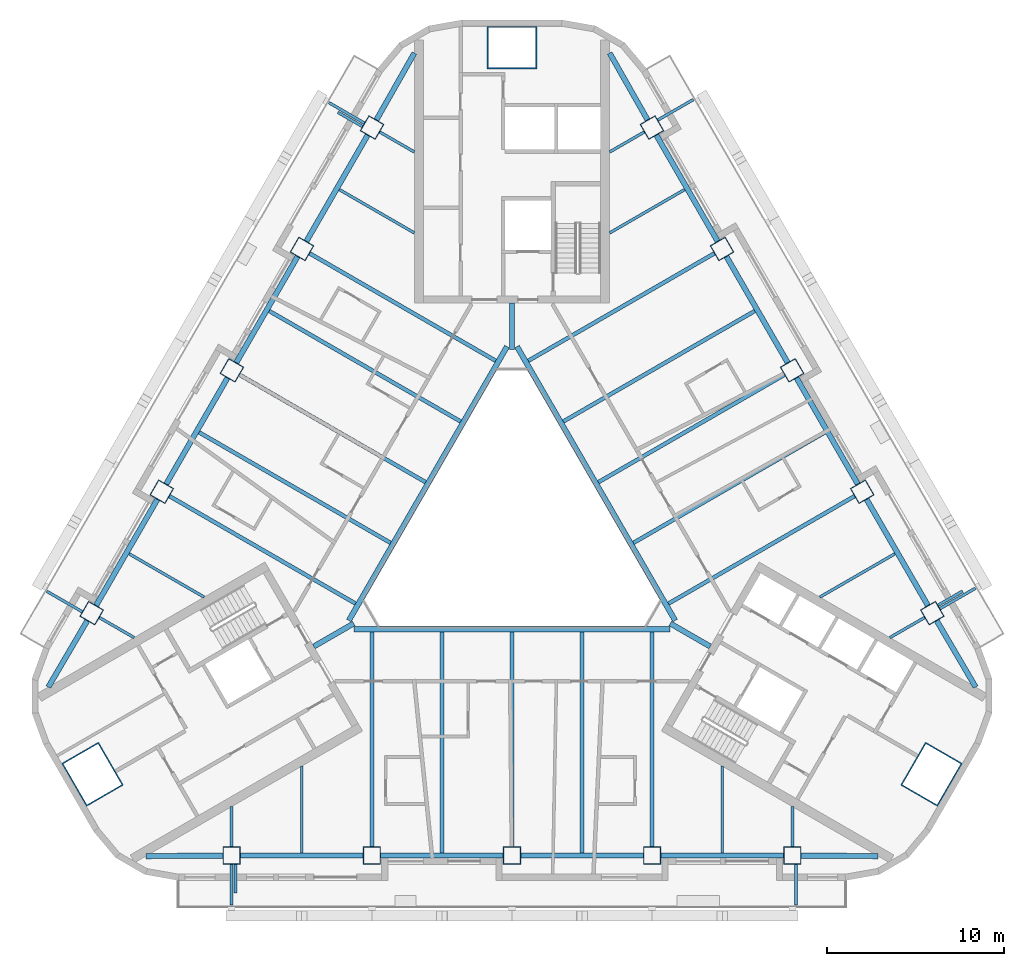
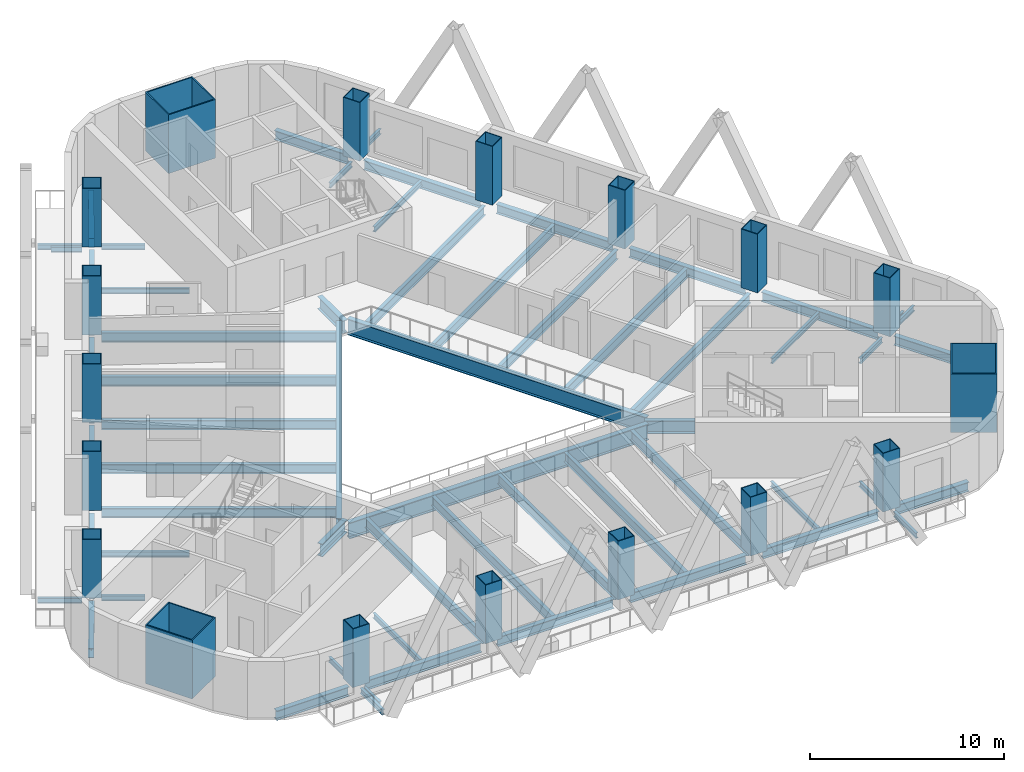
# One storey, part 1 of 14: 60 beams, 18 columns.
"""IFC4 building model written with IfcOpenShell, lengths in metres."""

from ifc_helpers import new_model, si_unit, direction, frame, origin, origin_2d, place, context, subcontext, project, spatial, rectangle, hollow_rectangle, i_section, extrude, material, material_profile, profile_set, type_object, element, save


model = new_model("IFC4")

# Units and contexts
model_context = context("Model", 3, precision=1e-05, world=origin(), true_north=direction((0.0, 1.0)))
body_context = subcontext(model_context, "Body", "Model", "MODEL_VIEW")
ifc_project = project(units=[si_unit("LENGTHUNIT", "METRE"), si_unit("AREAUNIT", "SQUARE_METRE"), si_unit("VOLUMEUNIT", "CUBIC_METRE"), si_unit("PLANEANGLEUNIT", "RADIAN"), si_unit("MASSUNIT", "GRAM", prefix="KILO")], contexts=[model_context])

# Site, building, storey
site_placement = place(None, origin())
site = spatial("IfcSite", under=ifc_project, at=site_placement, CompositionType="ELEMENT")
building_placement = place(site_placement, origin())
building = spatial("IfcBuilding", under=site, at=building_placement, Name="Apuvela Tower Hotel", CompositionType="ELEMENT")
storey_placement = place(building_placement, frame((0.0, 0.0, 76.10009765625)))
storey = spatial("IfcBuildingStorey", under=building, at=storey_placement, Name="L16", CompositionType="ELEMENT", Elevation=76.10009765625)

# Columns
ifc_material_1 = material(Name="Steel S460", Category="steel")
ifc_material_profile_1 = material_profile(ifc_material_1, hollow_rectangle(XDim=2.800048828125, YDim=2.39990234375, WallThickness=0.070068359375, at=origin_2d()), Name="BOX 2800x2400x70")
ifc_material_2 = material(Name="Concrete C80/95", Category="concrete")
ifc_material_profile_2 = material_profile(ifc_material_2, rectangle(XDim=2.659912109375, YDim=2.260009765625, at=origin_2d()), Name="Concrete C80/95 infill")
ifc_profile_set_1 = profile_set([ifc_material_profile_1, ifc_material_profile_2], Name="Steel S460")
column_type_1 = type_object("IfcColumnType", Name="STR-MC mega column BOX 2800x2400x70", PredefinedType="COLUMN", material=ifc_profile_set_1)
for number, where, z_axis, x_axis, name in (
    (1, (0.0, 27.300048828125, 0.0), (0.0, 0.0, 1.0), (1.0, 0.0, 0.0), "Mega column MC2 N"),
    (2, (-23.642578125, -13.64990234375, 0.0), (0.0, 0.0, 1.0), (-0.5, 0.866025403784, 0.0), "Mega column MC2 SW"),
    (3, (23.642578125, -13.64990234375, 0.0), (0.0, 0.0, 1.0), (0.5, 0.866025403784, 0.0), "Mega column MC2 SE"),
):
    element("IfcColumn", number, at=place(storey_placement, frame(where, z_axis=z_axis, x_axis=x_axis)), inside=storey, type_object=column_type_1, Name=name, PredefinedType="COLUMN", context=body_context, shape_type="SweptSolid", body=[
        extrude(hollow_rectangle(XDim=2.800048828125, YDim=2.39990234375, WallThickness=0.070068359375, at=origin_2d()), origin(), (0.0, 0.0, 1.0), 3.699951171875),
    ])
ifc_material_profile_3 = material_profile(ifc_material_1, hollow_rectangle(XDim=1.0, YDim=1.0, WallThickness=0.044921875, at=origin_2d()), Name="BOX 1000x1000x45")
ifc_material_profile_4 = material_profile(ifc_material_2, rectangle(XDim=0.909912109375, YDim=0.909912109375, at=origin_2d()), Name="Concrete C80/95 infill")
ifc_profile_set_2 = profile_set([ifc_material_profile_3, ifc_material_profile_4], Name="Steel S460")
column_type_2 = type_object("IfcColumnType", Name="STR-PC perimeter column BOX 1000x1000x45", PredefinedType="COLUMN", material=ifc_profile_set_2)
for number, where, z_axis, x_axis, name in (
    (4, (-15.800048828125, -18.22998046875, 0.0), (0.0, 0.0, 1.0), (-1.0, 0.0, 0.0), "Perimeter column C2 S1"),
    (5, (-7.89990234375, -18.22998046875, 0.0), (0.0, 0.0, 1.0), (-1.0, 0.0, 0.0), "Perimeter column C2 S2"),
    (6, (0.0, -18.22998046875, 0.0), (0.0, 0.0, 1.0), (-1.0, 0.0, 0.0), "Perimeter column C2 S3"),
    (7, (7.89990234375, -18.22998046875, 0.0), (0.0, 0.0, 1.0), (-1.0, 0.0, 0.0), "Perimeter column C2 S4"),
    (8, (15.800048828125, -18.22998046875, 0.0), (0.0, 0.0, 1.0), (-1.0, 0.0, 0.0), "Perimeter column C2 S5"),
    (9, (23.6875, -4.568115234375, 0.0), (0.0, 0.0, 1.0), (-0.5, 0.866025403784, 0.0), "Perimeter column C2 NE1"),
    (10, (19.737548828125, 2.2734375, 0.0), (0.0, 0.0, 1.0), (-0.5, 0.866025403784, 0.0), "Perimeter column C2 NE2"),
    (11, (15.78759765625, 9.114990234375, 0.0), (0.0, 0.0, 1.0), (-0.5, 0.866025403784, 0.0), "Perimeter column C2 NE3"),
    (12, (11.837646484375, 15.95654296875, 0.0), (0.0, 0.0, 1.0), (-0.5, 0.866025403784, 0.0), "Perimeter column C2 NE4"),
    (13, (7.8876953125, 22.798095703125, 0.0), (0.0, 0.0, 1.0), (-0.5, 0.866025403784, 0.0), "Perimeter column C2 NE5"),
    (14, (-7.8876953125, 22.798095703125, 0.0), (0.0, 0.0, 1.0), (0.5, 0.866025403784, 0.0), "Perimeter column C2 NW1"),
    (15, (-11.837646484375, 15.95654296875, 0.0), (0.0, 0.0, 1.0), (0.5, 0.866025403784, 0.0), "Perimeter column C2 NW2"),
    (16, (-15.78759765625, 9.114990234375, 0.0), (0.0, 0.0, 1.0), (0.5, 0.866025403784, 0.0), "Perimeter column C2 NW3"),
    (17, (-19.737548828125, 2.2734375, 0.0), (0.0, 0.0, 1.0), (0.5, 0.866025403784, 0.0), "Perimeter column C2 NW4"),
    (18, (-23.6875, -4.568115234375, 0.0), (0.0, 0.0, 1.0), (0.5, 0.866025403784, 0.0), "Perimeter column C2 NW5"),
):
    element("IfcColumn", number, at=place(storey_placement, frame(where, z_axis=z_axis, x_axis=x_axis)), inside=storey, type_object=column_type_2, Name=name, PredefinedType="COLUMN", context=body_context, shape_type="SweptSolid", body=[
        extrude(hollow_rectangle(XDim=1.0, YDim=1.0, WallThickness=0.044921875, at=origin_2d()), origin(), (0.0, 0.0, 1.0), 3.699951171875),
    ])

# Beams
ifc_material_3 = material(Name="Steel S355", Category="steel")
ifc_material_profile_5 = material_profile(ifc_material_3, i_section(OverallWidth=0.159912109375, OverallDepth=0.330078125, WebThickness=0.007568359375, FlangeThickness=0.011474609375, at=origin_2d()), Name="IPE 330")
ifc_profile_set_3 = profile_set([ifc_material_profile_5], Name="Steel S355")
beam_type_1 = type_object("IfcBeamType", Name="ENV-BALCONY-BEAM-IPE330", PredefinedType="BEAM", material=ifc_profile_set_3)
beam_1_placement = place(storey_placement, frame((-15.800048828125, -18.72998046875, -0.315185546875), z_axis=(0.0, -1.0, 0.0), x_axis=(1.0, 0.0, 0.0)))
element("IfcBeam", 19, at=beam_1_placement, inside=storey, type_object=beam_type_1, Name="Balcony cantilever beam S1 L16", PredefinedType="BEAM", context=body_context, shape_type="SweptSolid", body=[
    extrude(i_section(OverallWidth=0.159912109375, OverallDepth=0.330078125, WebThickness=0.007568359375, FlangeThickness=0.011474609375, at=origin_2d()), origin(), (0.0, 0.0, 1.0), 2.300048828125),
])
beam_2_placement = place(storey_placement, frame((-15.580078125, -18.72998046875, -0.315185546875), z_axis=(0.0, -1.0, 0.0), x_axis=(1.0, 0.0, 0.0)))
element("IfcBeam", 20, at=beam_2_placement, inside=storey, type_object=beam_type_1, Name="Balcony cantilever beam S2 L16", PredefinedType="BEAM", context=body_context, shape_type="SweptSolid", body=[
    extrude(i_section(OverallWidth=0.159912109375, OverallDepth=0.330078125, WebThickness=0.007568359375, FlangeThickness=0.011474609375, at=origin_2d()), origin(), (0.0, 0.0, 1.0), 1.60009765625),
])
for number, where, z_axis, x_axis, name in (
    (21, (16.0, -18.72998046875, -0.315185546875), (0.0, -1.0, 0.0), (1.0, 0.0, 0.0), "Balcony cantilever beam S3 L16"),
    (22, (24.12060546875, -4.318115234375, -0.315185546875), (0.866053019151, 0.499952165731, 0.0), (-0.499952165731, 0.866053019151, 0.0), "Balcony cantilever beam NE1 L16"),
):
    element("IfcBeam", number, at=place(storey_placement, frame(where, z_axis=z_axis, x_axis=x_axis)), inside=storey, type_object=beam_type_1, Name=name, PredefinedType="BEAM", context=body_context, shape_type="SweptSolid", body=[
        extrude(i_section(OverallWidth=0.159912109375, OverallDepth=0.330078125, WebThickness=0.007568359375, FlangeThickness=0.011474609375, at=origin_2d()), origin(), (0.0, 0.0, 1.0), 2.300048828125),
    ])
beam_3_placement = place(storey_placement, frame((24.0107421875, -4.127685546875, -0.315185546875), z_axis=(0.865989903783, 0.500061482766, 0.0), x_axis=(-0.500061482766, 0.865989903783, 0.0)))
element("IfcBeam", 23, at=beam_3_placement, inside=storey, type_object=beam_type_1, Name="Balcony cantilever beam NE2 L16", PredefinedType="BEAM", context=body_context, shape_type="SweptSolid", body=[
    extrude(i_section(OverallWidth=0.159912109375, OverallDepth=0.330078125, WebThickness=0.007568359375, FlangeThickness=0.011474609375, at=origin_2d()), origin(), (0.0, 0.0, 1.0), 1.599853515625),
])
beam_4_placement = place(storey_placement, frame((8.220703125, 23.221435546875, -0.315185546875), z_axis=(0.86602648383, 0.499998129301, 0.0), x_axis=(-0.499998129301, 0.86602648383, 0.0)))
element("IfcBeam", 24, at=beam_4_placement, inside=storey, type_object=beam_type_1, Name="Balcony cantilever beam NE3 L16", PredefinedType="BEAM", context=body_context, shape_type="SweptSolid", body=[
    extrude(i_section(OverallWidth=0.159912109375, OverallDepth=0.330078125, WebThickness=0.007568359375, FlangeThickness=0.011474609375, at=origin_2d()), origin(), (0.0, 0.0, 1.0), 2.2998046875),
])
beam_5_placement = place(storey_placement, frame((-8.32080078125, 23.048095703125, -0.315185546875), z_axis=(-0.865980515519, 0.500077740698, 0.0), x_axis=(-0.500077740698, -0.865980515519, 0.0)))
element("IfcBeam", 25, at=beam_5_placement, inside=storey, type_object=beam_type_1, Name="Balcony cantilever beam NW1 L16", PredefinedType="BEAM", context=body_context, shape_type="SweptSolid", body=[
    extrude(i_section(OverallWidth=0.159912109375, OverallDepth=0.330078125, WebThickness=0.007568359375, FlangeThickness=0.011474609375, at=origin_2d()), origin(), (0.0, 0.0, 1.0), 2.300048828125),
])
beam_6_placement = place(storey_placement, frame((-8.4306640625, 22.857666015625, -0.315185546875), z_axis=(-0.866028054938, 0.499995408039, 0.0), x_axis=(-0.499995408039, -0.866028054938, 0.0)))
element("IfcBeam", 26, at=beam_6_placement, inside=storey, type_object=beam_type_1, Name="Balcony cantilever beam NW2 L16", PredefinedType="BEAM", context=body_context, shape_type="SweptSolid", body=[
    extrude(i_section(OverallWidth=0.159912109375, OverallDepth=0.330078125, WebThickness=0.007568359375, FlangeThickness=0.011474609375, at=origin_2d()), origin(), (0.0, 0.0, 1.0), 1.60009765625),
])
beam_7_placement = place(storey_placement, frame((-24.220703125, -4.491455078125, -0.315185546875), z_axis=(-0.865980515519, 0.500077740698, 0.0), x_axis=(-0.500077740698, -0.865980515519, 0.0)))
element("IfcBeam", 27, at=beam_7_placement, inside=storey, type_object=beam_type_1, Name="Balcony cantilever beam NW3 L16", PredefinedType="BEAM", context=body_context, shape_type="SweptSolid", body=[
    extrude(i_section(OverallWidth=0.159912109375, OverallDepth=0.330078125, WebThickness=0.007568359375, FlangeThickness=0.011474609375, at=origin_2d()), origin(), (0.0, 0.0, 1.0), 2.300048828125),
])
ifc_material_profile_6 = material_profile(ifc_material_3, i_section(OverallWidth=0.159912109375, OverallDepth=0.330078125, WebThickness=0.007568359375, FlangeThickness=0.011474609375, at=origin_2d()), Name="IPE 330")
ifc_profile_set_4 = profile_set([ifc_material_profile_6], Name="Steel S355")
beam_type_2 = type_object("IfcBeamType", Name="STR-B floor beam IPE 330", PredefinedType="BEAM", material=ifc_profile_set_4)
beam_8_placement = place(storey_placement, frame((23.254638671875, -4.818115234375, -0.315185546875), z_axis=(-0.865991034588, -0.500059524469, 0.0), x_axis=(0.500059524469, -0.865991034588, 0.0)))
element("IfcBeam", 28, at=beam_8_placement, inside=storey, type_object=beam_type_2, Name="Floor beam B1 NE1", PredefinedType="BEAM", context=body_context, shape_type="SweptSolid", body=[
    extrude(i_section(OverallWidth=0.159912109375, OverallDepth=0.330078125, WebThickness=0.007568359375, FlangeThickness=0.011474609375, at=origin_2d()), origin(), (0.0, 0.0, 1.0), 2.257080078125),
])
for number, where, z_axis, x_axis, name in (
    (29, (21.582763671875, -1.222412109375, -0.315185546875), (-0.866015056278, -0.500017921979, 0.0), (0.500017921979, -0.866015056278, 0.0), "Floor beam B1 NE2"),
    (30, (9.732666015625, 19.302490234375, -0.315185546875), (-0.866015056278, -0.500017921979, 0.0), (0.500017921979, -0.866015056278, 0.0), "Floor beam B1 NE8"),
):
    element("IfcBeam", number, at=place(storey_placement, frame(where, z_axis=z_axis, x_axis=x_axis)), inside=storey, type_object=beam_type_2, Name=name, PredefinedType="BEAM", context=body_context, shape_type="SweptSolid", body=[
        extrude(i_section(OverallWidth=0.159912109375, OverallDepth=0.330078125, WebThickness=0.007568359375, FlangeThickness=0.011474609375, at=origin_2d()), origin(), (0.0, 0.0, 1.0), 4.887451171875),
    ])
for number, where, z_axis, x_axis, name in (
    (31, (7.45458984375, 22.548095703125, -0.315185546875), (-0.86603787505, -0.499978398512, 0.0), (0.499978398512, -0.86603787505, 0.0), "Floor beam B1 NE9"),
    (32, (-7.45458984375, 22.548095703125, -0.315185546875), (0.86603787505, -0.499978398512, 0.0), (0.499978398512, 0.86603787505, 0.0), "Floor beam B1 NW1"),
):
    element("IfcBeam", number, at=place(storey_placement, frame(where, z_axis=z_axis, x_axis=x_axis)), inside=storey, type_object=beam_type_2, Name=name, PredefinedType="BEAM", context=body_context, shape_type="SweptSolid", body=[
        extrude(i_section(OverallWidth=0.159912109375, OverallDepth=0.330078125, WebThickness=0.007568359375, FlangeThickness=0.011474609375, at=origin_2d()), origin(), (0.0, 0.0, 1.0), 2.2568359375),
    ])
for number, where, z_axis, x_axis, name in (
    (33, (-9.732666015625, 19.302490234375, -0.315185546875), (0.866015056278, -0.500017921979, 0.0), (0.500017921979, 0.866015056278, 0.0), "Floor beam B1 NW2"),
    (34, (-21.582763671875, -1.222412109375, -0.315185546875), (0.866015056278, -0.500017921979, 0.0), (0.500017921979, 0.866015056278, 0.0), "Floor beam B1 NW8"),
):
    element("IfcBeam", number, at=place(storey_placement, frame(where, z_axis=z_axis, x_axis=x_axis)), inside=storey, type_object=beam_type_2, Name=name, PredefinedType="BEAM", context=body_context, shape_type="SweptSolid", body=[
        extrude(i_section(OverallWidth=0.159912109375, OverallDepth=0.330078125, WebThickness=0.007568359375, FlangeThickness=0.011474609375, at=origin_2d()), origin(), (0.0, 0.0, 1.0), 4.887451171875),
    ])
for number, where, z_axis, x_axis, name in (
    (35, (-23.254638671875, -4.818115234375, -0.315185546875), (0.865991034588, -0.500059524469, 0.0), (0.500059524469, 0.865991034588, 0.0), "Floor beam B1 NW9"),
    (36, (-15.800048828125, -17.72998046875, -0.315185546875), (0.0, 1.0, 0.0), (-1.0, 0.0, 0.0), "Floor beam B1 S1"),
):
    element("IfcBeam", number, at=place(storey_placement, frame(where, z_axis=z_axis, x_axis=x_axis)), inside=storey, type_object=beam_type_2, Name=name, PredefinedType="BEAM", context=body_context, shape_type="SweptSolid", body=[
        extrude(i_section(OverallWidth=0.159912109375, OverallDepth=0.330078125, WebThickness=0.007568359375, FlangeThickness=0.011474609375, at=origin_2d()), origin(), (0.0, 0.0, 1.0), 2.257080078125),
    ])
for number, where, z_axis, x_axis, name in (
    (37, (-11.85009765625, -18.080078125, -0.315185546875), (0.0, 1.0, 0.0), (-1.0, 0.0, 0.0), "Floor beam B1 S2"),
    (38, (11.85009765625, -18.080078125, -0.315185546875), (0.0, 1.0, 0.0), (-1.0, 0.0, 0.0), "Floor beam B1 S8"),
):
    element("IfcBeam", number, at=place(storey_placement, frame(where, z_axis=z_axis, x_axis=x_axis)), inside=storey, type_object=beam_type_2, Name=name, PredefinedType="BEAM", context=body_context, shape_type="SweptSolid", body=[
        extrude(i_section(OverallWidth=0.159912109375, OverallDepth=0.330078125, WebThickness=0.007568359375, FlangeThickness=0.011474609375, at=origin_2d()), origin(), (0.0, 0.0, 1.0), 4.8876953125),
    ])
beam_9_placement = place(storey_placement, frame((15.800048828125, -17.72998046875, -0.315185546875), z_axis=(0.0, 1.0, 0.0), x_axis=(-1.0, 0.0, 0.0)))
element("IfcBeam", 39, at=beam_9_placement, inside=storey, type_object=beam_type_2, Name="Floor beam B1 S9", PredefinedType="BEAM", context=body_context, shape_type="SweptSolid", body=[
    extrude(i_section(OverallWidth=0.159912109375, OverallDepth=0.330078125, WebThickness=0.007568359375, FlangeThickness=0.011474609375, at=origin_2d()), origin(), (0.0, 0.0, 1.0), 2.257080078125),
])
ifc_material_profile_7 = material_profile(ifc_material_3, i_section(OverallWidth=0.219970703125, OverallDepth=0.60009765625, WebThickness=0.011962890625, FlangeThickness=0.01904296875, at=origin_2d()), Name="IPE 600")
ifc_profile_set_5 = profile_set([ifc_material_profile_7], Name="Steel S355")
beam_type_3 = type_object("IfcBeamType", Name="STR-B floor beam IPE 600", PredefinedType="BEAM", material=ifc_profile_set_5)
beam_10_placement = place(storey_placement, frame((19.3046875, 2.0234375, -0.4501953125), z_axis=(-0.866027098151, -0.499997065259, 0.0), x_axis=(0.499997065259, -0.866027098151, 0.0)))
element("IfcBeam", 40, at=beam_10_placement, inside=storey, type_object=beam_type_3, Name="Floor beam B8 NE3", PredefinedType="BEAM", context=body_context, shape_type="SweptSolid", body=[
    extrude(i_section(OverallWidth=0.219970703125, OverallDepth=0.60009765625, WebThickness=0.011962890625, FlangeThickness=0.01904296875, at=origin_2d()), origin(), (0.0, 0.0, 1.0), 12.10791015625),
])
beam_11_placement = place(storey_placement, frame((17.6328125, 5.619140625, -0.4501953125), z_axis=(-0.866027636335, -0.499996133089, 0.0), x_axis=(0.499996133089, -0.866027636335, 0.0)))
element("IfcBeam", 41, at=beam_11_placement, inside=storey, type_object=beam_type_3, Name="Floor beam B8 NE4", PredefinedType="BEAM", context=body_context, shape_type="SweptSolid", body=[
    extrude(i_section(OverallWidth=0.219970703125, OverallDepth=0.60009765625, WebThickness=0.011962890625, FlangeThickness=0.01904296875, at=origin_2d()), origin(), (0.0, 0.0, 1.0), 12.4580078125),
])
beam_12_placement = place(storey_placement, frame((15.3544921875, 8.864990234375, -0.4501953125), z_axis=(-0.866022057176, -0.500005796451, 0.0), x_axis=(0.500005796451, -0.866022057176, 0.0)))
element("IfcBeam", 42, at=beam_12_placement, inside=storey, type_object=beam_type_3, Name="Floor beam B8 NE5", PredefinedType="BEAM", context=body_context, shape_type="SweptSolid", body=[
    extrude(i_section(OverallWidth=0.219970703125, OverallDepth=0.60009765625, WebThickness=0.011962890625, FlangeThickness=0.01904296875, at=origin_2d()), origin(), (0.0, 0.0, 1.0), 12.107666015625),
])
beam_13_placement = place(storey_placement, frame((13.6826171875, 12.460693359375, -0.4501953125), z_axis=(-0.866022737053, -0.500004618886, 0.0), x_axis=(0.500004618886, -0.866022737053, 0.0)))
element("IfcBeam", 43, at=beam_13_placement, inside=storey, type_object=beam_type_3, Name="Floor beam B8 NE6", PredefinedType="BEAM", context=body_context, shape_type="SweptSolid", body=[
    extrude(i_section(OverallWidth=0.219970703125, OverallDepth=0.60009765625, WebThickness=0.011962890625, FlangeThickness=0.01904296875, at=origin_2d()), origin(), (0.0, 0.0, 1.0), 12.4580078125),
])
for number, where, z_axis, x_axis, name in (
    (44, (11.404541015625, 15.70654296875, -0.4501953125), (-0.866027098151, -0.499997065259, 0.0), (0.499997065259, -0.866027098151, 0.0), "Floor beam B8 NE7"),
    (45, (-11.404541015625, 15.70654296875, -0.4501953125), (0.866027098151, -0.499997065259, 0.0), (0.499997065259, 0.866027098151, 0.0), "Floor beam B8 NW3"),
):
    element("IfcBeam", number, at=place(storey_placement, frame(where, z_axis=z_axis, x_axis=x_axis)), inside=storey, type_object=beam_type_3, Name=name, PredefinedType="BEAM", context=body_context, shape_type="SweptSolid", body=[
        extrude(i_section(OverallWidth=0.219970703125, OverallDepth=0.60009765625, WebThickness=0.011962890625, FlangeThickness=0.01904296875, at=origin_2d()), origin(), (0.0, 0.0, 1.0), 12.10791015625),
    ])
beam_14_placement = place(storey_placement, frame((-13.6826171875, 12.460693359375, -0.4501953125), z_axis=(0.866022737053, -0.500004618886, 0.0), x_axis=(0.500004618886, 0.866022737053, 0.0)))
element("IfcBeam", 46, at=beam_14_placement, inside=storey, type_object=beam_type_3, Name="Floor beam B8 NW4", PredefinedType="BEAM", context=body_context, shape_type="SweptSolid", body=[
    extrude(i_section(OverallWidth=0.219970703125, OverallDepth=0.60009765625, WebThickness=0.011962890625, FlangeThickness=0.01904296875, at=origin_2d()), origin(), (0.0, 0.0, 1.0), 12.4580078125),
])
beam_15_placement = place(storey_placement, frame((-15.3544921875, 8.864990234375, -0.4501953125), z_axis=(0.866022057176, -0.500005796451, 0.0), x_axis=(0.500005796451, 0.866022057176, 0.0)))
element("IfcBeam", 47, at=beam_15_placement, inside=storey, type_object=beam_type_3, Name="Floor beam B8 NW5", PredefinedType="BEAM", context=body_context, shape_type="SweptSolid", body=[
    extrude(i_section(OverallWidth=0.219970703125, OverallDepth=0.60009765625, WebThickness=0.011962890625, FlangeThickness=0.01904296875, at=origin_2d()), origin(), (0.0, 0.0, 1.0), 12.107666015625),
])
beam_16_placement = place(storey_placement, frame((-17.6328125, 5.619140625, -0.4501953125), z_axis=(0.866027636335, -0.499996133089, 0.0), x_axis=(0.499996133089, 0.866027636335, 0.0)))
element("IfcBeam", 48, at=beam_16_placement, inside=storey, type_object=beam_type_3, Name="Floor beam B8 NW6", PredefinedType="BEAM", context=body_context, shape_type="SweptSolid", body=[
    extrude(i_section(OverallWidth=0.219970703125, OverallDepth=0.60009765625, WebThickness=0.011962890625, FlangeThickness=0.01904296875, at=origin_2d()), origin(), (0.0, 0.0, 1.0), 12.4580078125),
])
for number, where, z_axis, x_axis, name in (
    (49, (-19.3046875, 2.0234375, -0.4501953125), (0.866027098151, -0.499997065259, 0.0), (0.499997065259, 0.866027098151, 0.0), "Floor beam B8 NW7"),
    (50, (-7.89990234375, -17.72998046875, -0.4501953125), (0.0, 1.0, 0.0), (-1.0, 0.0, 0.0), "Floor beam B8 S3"),
):
    element("IfcBeam", number, at=place(storey_placement, frame(where, z_axis=z_axis, x_axis=x_axis)), inside=storey, type_object=beam_type_3, Name=name, PredefinedType="BEAM", context=body_context, shape_type="SweptSolid", body=[
        extrude(i_section(OverallWidth=0.219970703125, OverallDepth=0.60009765625, WebThickness=0.011962890625, FlangeThickness=0.01904296875, at=origin_2d()), origin(), (0.0, 0.0, 1.0), 12.10791015625),
    ])
beam_17_placement = place(storey_placement, frame((-3.949951171875, -18.080078125, -0.4501953125), z_axis=(0.0, 1.0, 0.0), x_axis=(-1.0, 0.0, 0.0)))
element("IfcBeam", 51, at=beam_17_placement, inside=storey, type_object=beam_type_3, Name="Floor beam B8 S4", PredefinedType="BEAM", context=body_context, shape_type="SweptSolid", body=[
    extrude(i_section(OverallWidth=0.219970703125, OverallDepth=0.60009765625, WebThickness=0.011962890625, FlangeThickness=0.01904296875, at=origin_2d()), origin(), (0.0, 0.0, 1.0), 12.4580078125),
])
beam_18_placement = place(storey_placement, frame((0.0, -17.72998046875, -0.4501953125), z_axis=(0.0, 1.0, 0.0), x_axis=(-1.0, 0.0, 0.0)))
element("IfcBeam", 52, at=beam_18_placement, inside=storey, type_object=beam_type_3, Name="Floor beam B8 S5", PredefinedType="BEAM", context=body_context, shape_type="SweptSolid", body=[
    extrude(i_section(OverallWidth=0.219970703125, OverallDepth=0.60009765625, WebThickness=0.011962890625, FlangeThickness=0.01904296875, at=origin_2d()), origin(), (0.0, 0.0, 1.0), 12.10791015625),
])
beam_19_placement = place(storey_placement, frame((3.949951171875, -18.080078125, -0.4501953125), z_axis=(0.0, 1.0, 0.0), x_axis=(-1.0, 0.0, 0.0)))
element("IfcBeam", 53, at=beam_19_placement, inside=storey, type_object=beam_type_3, Name="Floor beam B8 S6", PredefinedType="BEAM", context=body_context, shape_type="SweptSolid", body=[
    extrude(i_section(OverallWidth=0.219970703125, OverallDepth=0.60009765625, WebThickness=0.011962890625, FlangeThickness=0.01904296875, at=origin_2d()), origin(), (0.0, 0.0, 1.0), 12.4580078125),
])
beam_20_placement = place(storey_placement, frame((7.89990234375, -17.72998046875, -0.4501953125), z_axis=(0.0, 1.0, 0.0), x_axis=(-1.0, 0.0, 0.0)))
element("IfcBeam", 54, at=beam_20_placement, inside=storey, type_object=beam_type_3, Name="Floor beam B8 S7", PredefinedType="BEAM", context=body_context, shape_type="SweptSolid", body=[
    extrude(i_section(OverallWidth=0.219970703125, OverallDepth=0.60009765625, WebThickness=0.011962890625, FlangeThickness=0.01904296875, at=origin_2d()), origin(), (0.0, 0.0, 1.0), 12.10791015625),
])
ifc_material_profile_8 = material_profile(ifc_material_3, i_section(OverallWidth=0.302001953125, OverallDepth=1.008056640625, WebThickness=0.02099609375, FlangeThickness=0.0400390625, at=origin_2d()), Name="HE 1000 M")
ifc_profile_set_6 = profile_set([ifc_material_profile_8], Name="Steel S355")
beam_type_4 = type_object("IfcBeamType", Name="STR-G atrium ring girder HE 1000 M", PredefinedType="BEAM", material=ifc_profile_set_6)
for number, where, z_axis, x_axis, name in (
    (55, (-0.28076171875, 10.455810546875, -0.654052734375), (-0.500000611842, -0.866025050537, 0.0), (0.866025050537, -0.500000611842, 0.0), "Atrium ring girder G1 N-SW"),
    (56, (-8.91455078125, -5.470947265625, -0.654052734375), (1.0, 0.0, 0.0), (0.0, 1.0, 0.0), "Atrium ring girder G1 SW-SE"),
    (57, (9.1953125, -4.984619140625, -0.654052734375), (-0.500000611842, 0.866025050537, 0.0), (-0.866025050537, -0.500000611842, 0.0), "Atrium ring girder G1 SE-N"),
):
    element("IfcBeam", number, at=place(storey_placement, frame(where, z_axis=z_axis, x_axis=x_axis)), inside=storey, type_object=beam_type_4, Name=name, PredefinedType="BEAM", context=body_context, shape_type="SweptSolid", body=[
        extrude(i_section(OverallWidth=0.302001953125, OverallDepth=1.008056640625, WebThickness=0.02099609375, FlangeThickness=0.0400390625, at=origin_2d()), origin(), (0.0, 0.0, 1.0), 17.8291015625),
    ])
ifc_material_profile_9 = material_profile(ifc_material_3, i_section(OverallWidth=0.300048828125, OverallDepth=0.800048828125, WebThickness=0.017578125, FlangeThickness=0.032958984375, at=origin_2d()), Name="HE 800 B")
ifc_profile_set_7 = profile_set([ifc_material_profile_9], Name="Steel S355")
beam_type_5 = type_object("IfcBeamType", Name="STR-GT core tie beam HE 800 B", PredefinedType="BEAM", material=ifc_profile_set_7)
for number, where, z_axis, x_axis, name in (
    (58, (0.0, 12.89990234375, -0.550048828125), (0.0, -1.0, 0.0), (1.0, 0.0, 0.0), "Core tie beam GT1 N"),
    (59, (-11.171630859375, -6.449951171875, -0.550048828125), (0.865997922154, 0.500047596559, 0.0), (-0.500047596559, 0.865997922154, 0.0), "Core tie beam GT1 SW"),
    (60, (11.171630859375, -6.449951171875, -0.550048828125), (-0.865997922154, 0.500047596559, 0.0), (-0.500047596559, -0.865997922154, 0.0), "Core tie beam GT1 SE"),
):
    element("IfcBeam", number, at=place(storey_placement, frame(where, z_axis=z_axis, x_axis=x_axis)), inside=storey, type_object=beam_type_5, Name=name, PredefinedType="BEAM", context=body_context, shape_type="SweptSolid", body=[
        extrude(i_section(OverallWidth=0.300048828125, OverallDepth=0.800048828125, WebThickness=0.017578125, FlangeThickness=0.032958984375, at=origin_2d()), origin(), (0.0, 0.0, 1.0), 2.599853515625),
    ])
ifc_material_profile_10 = material_profile(ifc_material_3, i_section(OverallWidth=0.300048828125, OverallDepth=0.590087890625, WebThickness=0.012939453125, FlangeThickness=0.02490234375, at=origin_2d()), Name="HE 600 A")
ifc_profile_set_8 = profile_set([ifc_material_profile_10], Name="Steel S355")
beam_type_6 = type_object("IfcBeamType", Name="STR-SB spandrel beam HE 600 A", PredefinedType="SPANDREL", material=ifc_profile_set_8)
beam_21_placement = place(storey_placement, frame((-15.300048828125, -18.22998046875, -0.445068359375), z_axis=(1.0, 0.0, 0.0), x_axis=(0.0, 1.0, 0.0)))
element("IfcBeam", 61, at=beam_21_placement, inside=storey, type_object=beam_type_6, Name="Spandrel beam SB2 S1", PredefinedType="SPANDREL", context=body_context, shape_type="SweptSolid", body=[
    extrude(i_section(OverallWidth=0.300048828125, OverallDepth=0.590087890625, WebThickness=0.012939453125, FlangeThickness=0.02490234375, at=origin_2d()), origin(), (0.0, 0.0, 1.0), 6.900146484375),
])
for number, where, z_axis, x_axis, name in (
    (62, (-7.39990234375, -18.22998046875, -0.445068359375), (1.0, 0.0, 0.0), (0.0, 1.0, 0.0), "Spandrel beam SB2 S2"),
    (63, (0.5, -18.22998046875, -0.445068359375), (1.0, 0.0, 0.0), (0.0, 1.0, 0.0), "Spandrel beam SB2 S3"),
):
    element("IfcBeam", number, at=place(storey_placement, frame(where, z_axis=z_axis, x_axis=x_axis)), inside=storey, type_object=beam_type_6, Name=name, PredefinedType="SPANDREL", context=body_context, shape_type="SweptSolid", body=[
        extrude(i_section(OverallWidth=0.300048828125, OverallDepth=0.590087890625, WebThickness=0.012939453125, FlangeThickness=0.02490234375, at=origin_2d()), origin(), (0.0, 0.0, 1.0), 6.89990234375),
    ])
beam_22_placement = place(storey_placement, frame((8.39990234375, -18.22998046875, -0.445068359375), z_axis=(1.0, 0.0, 0.0), x_axis=(0.0, 1.0, 0.0)))
element("IfcBeam", 64, at=beam_22_placement, inside=storey, type_object=beam_type_6, Name="Spandrel beam SB2 S4", PredefinedType="SPANDREL", context=body_context, shape_type="SweptSolid", body=[
    extrude(i_section(OverallWidth=0.300048828125, OverallDepth=0.590087890625, WebThickness=0.012939453125, FlangeThickness=0.02490234375, at=origin_2d()), origin(), (0.0, 0.0, 1.0), 6.900146484375),
])
for number, where, z_axis, x_axis, name in (
    (65, (23.4375, -4.13525390625, -0.445068359375), (-0.499994024137, 0.866028853923, 0.0), (-0.866028853923, -0.499994024137, 0.0), "Spandrel beam SB2 NE1"),
    (66, (19.487548828125, 2.706298828125, -0.445068359375), (-0.499994024137, 0.866028853923, 0.0), (-0.866028853923, -0.499994024137, 0.0), "Spandrel beam SB2 NE2"),
    (67, (15.53759765625, 9.548095703125, -0.445068359375), (-0.499994024137, 0.866028853923, 0.0), (-0.866028853923, -0.499994024137, 0.0), "Spandrel beam SB2 NE3"),
    (68, (11.587646484375, 16.3896484375, -0.445068359375), (-0.499994024137, 0.866028853923, 0.0), (-0.866028853923, -0.499994024137, 0.0), "Spandrel beam SB2 NE4"),
    (69, (-8.1376953125, 22.365234375, -0.445068359375), (-0.499994024137, -0.866028853923, 0.0), (0.866028853923, -0.499994024137, 0.0), "Spandrel beam SB2 NW1"),
    (70, (-12.087646484375, 15.523681640625, -0.445068359375), (-0.499994024137, -0.866028853923, 0.0), (0.866028853923, -0.499994024137, 0.0), "Spandrel beam SB2 NW2"),
    (71, (-16.03759765625, 8.681884765625, -0.445068359375), (-0.499994024137, -0.866028853923, 0.0), (0.866028853923, -0.499994024137, 0.0), "Spandrel beam SB2 NW3"),
    (72, (-19.987548828125, 1.84033203125, -0.445068359375), (-0.499994024137, -0.866028853923, 0.0), (0.866028853923, -0.499994024137, 0.0), "Spandrel beam SB2 NW4"),
):
    element("IfcBeam", number, at=place(storey_placement, frame(where, z_axis=z_axis, x_axis=x_axis)), inside=storey, type_object=beam_type_6, Name=name, PredefinedType="SPANDREL", context=body_context, shape_type="SweptSolid", body=[
        extrude(i_section(OverallWidth=0.300048828125, OverallDepth=0.590087890625, WebThickness=0.012939453125, FlangeThickness=0.02490234375, at=origin_2d()), origin(), (0.0, 0.0, 1.0), 6.89990234375),
    ])
for number, where, z_axis, x_axis, name in (
    (73, (-16.300048828125, -18.2333984375, -0.445068359375), (-0.999976372141, -0.00687423888, 0.0), (0.00687423888, -0.999976372141, 0.0), "Spandrel beam SB2 S1-SW"),
    (74, (16.300048828125, -18.2333984375, -0.445068359375), (0.999976372141, -0.00687423888, 0.0), (0.00687423888, 0.999976372141, 0.0), "Spandrel beam SB2 S5-SE"),
    (75, (23.940673828125, -4.99951171875, -0.445068359375), (0.505943625762, -0.862566546738, 0.0), (0.862566546738, 0.505943625762, 0.0), "Spandrel beam SB2 NE1-SE"),
    (76, (7.640625, 23.23291015625, -0.445068359375), (-0.494050066642, 0.869433454412, 0.0), (-0.869433454412, -0.494050066642, 0.0), "Spandrel beam SB2 NE5-N"),
    (77, (-7.640625, 23.23291015625, -0.445068359375), (0.494050066642, 0.869433454412, 0.0), (-0.869433454412, 0.494050066642, 0.0), "Spandrel beam SB2 NW1-N"),
    (78, (-23.940673828125, -4.99951171875, -0.445068359375), (-0.505943625762, -0.862566546738, 0.0), (0.862566546738, -0.505943625762, 0.0), "Spandrel beam SB2 NW5-SW"),
):
    element("IfcBeam", number, at=place(storey_placement, frame(where, z_axis=z_axis, x_axis=x_axis)), inside=storey, type_object=beam_type_6, Name=name, PredefinedType="SPANDREL", context=body_context, shape_type="SweptSolid", body=[
        extrude(i_section(OverallWidth=0.300048828125, OverallDepth=0.590087890625, WebThickness=0.012939453125, FlangeThickness=0.02490234375, at=origin_2d()), origin(), (0.0, 0.0, 1.0), 4.332763671875),
    ])

save(model, "model.ifc")
